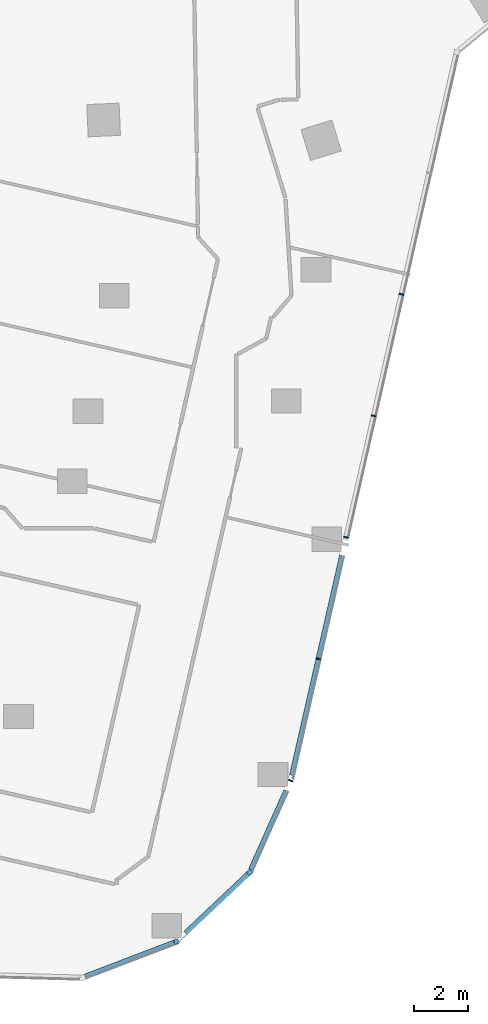
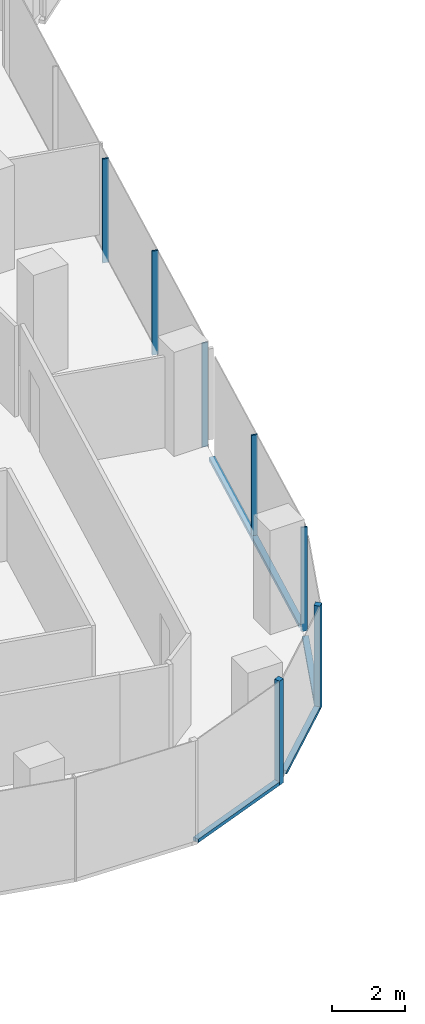
# One storey, part 5 of 24: 11 members, 4 elements without a shape of their own.
"""IFC4 building model written with IfcOpenShell, lengths in metres."""

from ifc_helpers import new_model, si_unit, direction, frame, origin, origin_2d, place, context, subcontext, project, spatial, rectangle, extrude, material, material_profile, profile_set, type_object, element, aggregate, save


model = new_model("IFC4")

# Units and contexts
model_context = context("Model", 3, precision=1e-05, world=origin(), true_north=direction((0.0, 1.0)))
body_context = subcontext(model_context, "Body", "Model", "MODEL_VIEW")
ifc_project = project(units=[si_unit("LENGTHUNIT", "METRE"), si_unit("AREAUNIT", "SQUARE_METRE"), si_unit("VOLUMEUNIT", "CUBIC_METRE"), si_unit("PLANEANGLEUNIT", "RADIAN"), si_unit("MASSUNIT", "GRAM", prefix="KILO")], contexts=[model_context])

# Site, building, storey
site_placement = place(None, origin())
site = spatial("IfcSite", under=ifc_project, at=site_placement, CompositionType="ELEMENT")
building_placement = place(site_placement, origin())
building = spatial("IfcBuilding", under=site, at=building_placement, Name="Orlundy Tower", CompositionType="ELEMENT")
storey_placement = place(building_placement, frame((0.0, 0.0, 170.60009765625)))
storey = spatial("IfcBuildingStorey", under=building, at=storey_placement, Name="L44", CompositionType="ELEMENT", Elevation=170.60009765625)

# Curtain wall, member
ifc_material_1 = material(Name="Aluminium bronze anodised", Category="aluminium")
curtain_wall_type = type_object("IfcCurtainWallType", Name="CW1 wall", PredefinedType="NOTDEFINED", material=ifc_material_1)
curtain_wall_1_placement = place(storey_placement, origin())
curtain_wall_1 = element("IfcCurtainWall", 1, at=curtain_wall_1_placement, inside=storey, type_object=curtain_wall_type, Name="CW1 run 020", PredefinedType="NOTDEFINED")
ifc_material_2 = material(Name="Aluminium bronze anodised", Category="aluminium")
ifc_material_profile_1 = material_profile(ifc_material_2, rectangle(XDim=0.179931640625, YDim=0.179931640625, at=origin_2d()), Name="CW1 corner post 180x180")
ifc_profile_set_1 = profile_set([ifc_material_profile_1], Name="Aluminium bronze anodised")
member_type_1 = type_object("IfcMemberType", Name="CW1 corner post 180x180", PredefinedType="MULLION", material=ifc_profile_set_1)
member_1_placement = place(storey_placement, frame((6.73486328125, -57.60498046875, -0.420166015625), z_axis=(0.0, 0.0, 1.0), x_axis=(0.687280644864, -0.726391984534, 0.0)))
member_1 = element("IfcMember", 2, at=member_1_placement, type_object=member_type_1, Name="CW1 mullion 50", PredefinedType="MULLION", context=body_context, shape_type="SweptSolid", body=[
    extrude(rectangle(XDim=0.179931640625, YDim=0.179931640625, at=origin_2d()), origin(), (0.0, 0.0, 1.0), 3.5),
])

curtain_wall_2_placement = place(storey_placement, origin())
curtain_wall_2 = element("IfcCurtainWall", 3, at=curtain_wall_2_placement, inside=storey, type_object=curtain_wall_type, Name="CW1 run 021", PredefinedType="NOTDEFINED")
member_2_placement = place(storey_placement, frame((4.015869140625, -60.177734375, -0.420166015625), z_axis=(0.0, 0.0, 1.0), x_axis=(0.356971292489, -0.934115354942, 0.0)))
member_2 = element("IfcMember", 4, at=member_2_placement, type_object=member_type_1, Name="CW1 mullion 51", PredefinedType="MULLION", context=body_context, shape_type="SweptSolid", body=[
    extrude(rectangle(XDim=0.179931640625, YDim=0.179931640625, at=origin_2d()), origin(), (0.0, 0.0, 1.0), 3.5),
])

# Curtain wall, members
curtain_wall_3_placement = place(storey_placement, origin())
curtain_wall_3 = element("IfcCurtainWall", 5, at=curtain_wall_3_placement, inside=storey, type_object=curtain_wall_type, Name="CW1 run 018", PredefinedType="NOTDEFINED")
ifc_material_3 = material(Name="Aluminium bronze anodised", Category="aluminium")
ifc_material_profile_2 = material_profile(ifc_material_3, rectangle(XDim=0.179931640625, YDim=0.050048828125, at=origin_2d()), Name="CW1 mullion 50x180")
ifc_profile_set_2 = profile_set([ifc_material_profile_2], Name="Aluminium bronze anodised")
member_type_2 = type_object("IfcMemberType", Name="CW1 mullion 50x180", PredefinedType="MULLION", material=ifc_profile_set_2)
member_3_placement = place(storey_placement, frame((12.374755859375, -36.1279296875, -0.420166015625), z_axis=(0.0, 0.0, 1.0), x_axis=(0.975022425628, -0.222106437373, 0.0)))
member_3 = element("IfcMember", 6, at=member_3_placement, type_object=member_type_2, Name="CW1 mullion 45", PredefinedType="MULLION", context=body_context, shape_type="SweptSolid", body=[
    extrude(rectangle(XDim=0.179931640625, YDim=0.050048828125, at=origin_2d()), origin(), (0.0, 0.0, 1.0), 3.5),
])
member_4_placement = place(storey_placement, frame((11.34619140625, -40.64306640625, -0.420166015625), z_axis=(0.0, 0.0, 1.0), x_axis=(0.975022425628, -0.222106437373, 0.0)))
member_4 = element("IfcMember", 7, at=member_4_placement, type_object=member_type_2, Name="CW1 mullion 46", PredefinedType="MULLION", context=body_context, shape_type="SweptSolid", body=[
    extrude(rectangle(XDim=0.179931640625, YDim=0.050048828125, at=origin_2d()), origin(), (0.0, 0.0, 1.0), 3.5),
])
member_5_placement = place(storey_placement, frame((10.31787109375, -45.157958984375, -0.420166015625), z_axis=(0.0, 0.0, 1.0), x_axis=(0.975022425628, -0.222106437373, 0.0)))
member_5 = element("IfcMember", 8, at=member_5_placement, type_object=member_type_2, Name="CW1 mullion 47", PredefinedType="MULLION", context=body_context, shape_type="SweptSolid", body=[
    extrude(rectangle(XDim=0.179931640625, YDim=0.050048828125, at=origin_2d()), origin(), (0.0, 0.0, 1.0), 3.5),
])
member_6_placement = place(storey_placement, frame((9.289306640625, -49.673095703125, -0.420166015625), z_axis=(0.0, 0.0, 1.0), x_axis=(0.975022425628, -0.222106437373, 0.0)))
member_6 = element("IfcMember", 9, at=member_6_placement, type_object=member_type_2, Name="CW1 mullion 48", PredefinedType="MULLION", context=body_context, shape_type="SweptSolid", body=[
    extrude(rectangle(XDim=0.179931640625, YDim=0.050048828125, at=origin_2d()), origin(), (0.0, 0.0, 1.0), 3.5),
])

# Curtain wall, member
curtain_wall_4_placement = place(storey_placement, origin())
curtain_wall_4 = element("IfcCurtainWall", 10, at=curtain_wall_4_placement, inside=storey, type_object=curtain_wall_type, Name="CW1 run 019", PredefinedType="NOTDEFINED")
member_7_placement = place(storey_placement, frame((8.2587890625, -54.196533203125, -0.420166015625), z_axis=(0.0, 0.0, 1.0), x_axis=(0.948538326866, -0.316662347725, 0.0)))
member_7 = element("IfcMember", 11, at=member_7_placement, type_object=member_type_2, Name="CW1 mullion 49", PredefinedType="MULLION", context=body_context, shape_type="SweptSolid", body=[
    extrude(rectangle(XDim=0.179931640625, YDim=0.050048828125, at=origin_2d()), origin(), (0.0, 0.0, 1.0), 3.5),
])

# Member
ifc_material_4 = material(Name="Aluminium bronze anodised", Category="aluminium")
ifc_material_profile_3 = material_profile(ifc_material_4, rectangle(XDim=0.179931640625, YDim=0.1201171875, at=origin_2d()), Name="CW1 transom 180x120")
ifc_profile_set_3 = profile_set([ifc_material_profile_3], Name="Aluminium bronze anodised")
member_type_3 = type_object("IfcMemberType", Name="CW1 transom 180x120", PredefinedType="USERDEFINED", material=ifc_profile_set_3)
member_8_placement = place(storey_placement, frame((10.165283203125, -45.826904296875, -0.360107421875), z_axis=(-0.222097782394, -0.975024397159, 0.0), x_axis=(0.975024397159, -0.222097782394, 0.0)))
member_8 = element("IfcMember", 12, at=member_8_placement, type_object=member_type_3, Name="CW1 transom", ObjectType="TRANSOM", PredefinedType="USERDEFINED", context=body_context, shape_type="SweptSolid", body=[
    extrude(rectangle(XDim=0.179931640625, YDim=0.1201171875, at=origin_2d()), origin(), (0.0, 0.0, 1.0), 8.389404296875),
])

aggregate(curtain_wall_3, [member_3, member_4, member_5, member_6, member_8])

member_9_placement = place(storey_placement, frame((8.091796875, -54.570068359375, -0.360107421875), z_axis=(-0.408152053021, -0.912913961781, 0.0), x_axis=(0.912913961781, -0.408152053021, 0.0)))
member_9 = element("IfcMember", 13, at=member_9_placement, type_object=member_type_3, Name="CW1 transom", ObjectType="TRANSOM", PredefinedType="USERDEFINED", context=body_context, shape_type="SweptSolid", body=[
    extrude(rectangle(XDim=0.179931640625, YDim=0.1201171875, at=origin_2d()), origin(), (0.0, 0.0, 1.0), 3.22705078125),
])

aggregate(curtain_wall_4, [member_7, member_9])

member_10_placement = place(storey_placement, frame((6.66943359375, -57.6669921875, -0.360107421875), z_axis=(-0.726392140314, -0.687280480219, 0.0), x_axis=(0.687280480219, -0.726392140314, 0.0)))
member_10 = element("IfcMember", 14, at=member_10_placement, type_object=member_type_3, Name="CW1 transom", ObjectType="TRANSOM", PredefinedType="USERDEFINED", context=body_context, shape_type="SweptSolid", body=[
    extrude(rectangle(XDim=0.179931640625, YDim=0.1201171875, at=origin_2d()), origin(), (0.0, 0.0, 1.0), 3.196044921875),
])

aggregate(curtain_wall_1, [member_1, member_10])

member_11_placement = place(storey_placement, frame((3.931884765625, -60.209716796875, -0.360107421875), z_axis=(-0.934106404505, -0.356994712934, 0.0), x_axis=(0.356994712934, -0.934106404505, 0.0)))
member_11 = element("IfcMember", 15, at=member_11_placement, type_object=member_type_3, Name="CW1 transom", ObjectType="TRANSOM", PredefinedType="USERDEFINED", context=body_context, shape_type="SweptSolid", body=[
    extrude(rectangle(XDim=0.179931640625, YDim=0.1201171875, at=origin_2d()), origin(), (0.0, 0.0, 1.0), 3.5546875),
])

aggregate(curtain_wall_2, [member_2, member_11])

save(model, "model.ifc")
